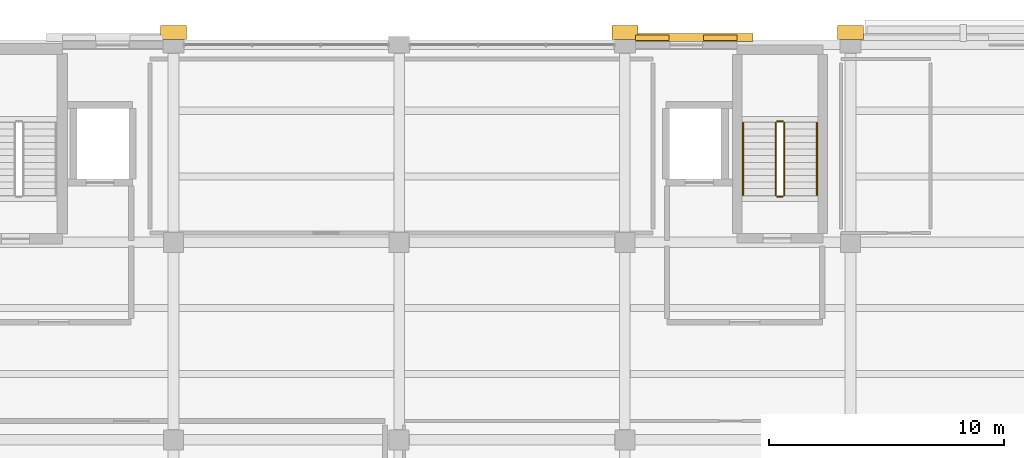
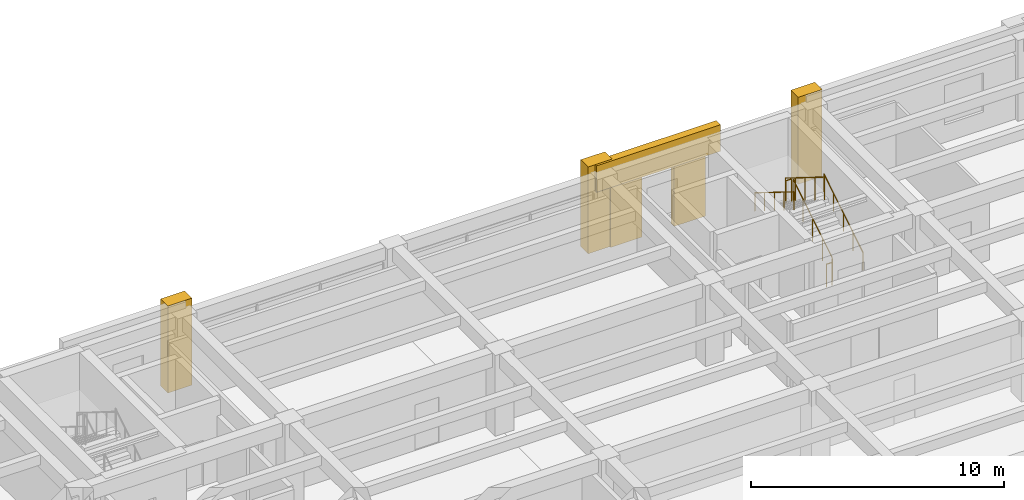
# One storey, part 70 of 71: 6 coverings, 6 railings.
"""IFC4 building model written with IfcOpenShell, lengths in metres."""

from ifc_helpers import new_model, si_unit, direction, frame, origin, origin_2d, place, context, subcontext, project, spatial, rectangle, circle, extrude, material, layer, layer_set, type_object, element, save


model = new_model("IFC4")

# Units and contexts
model_context = context("Model", 3, precision=1e-05, world=origin(), true_north=direction((0.0, 1.0)))
body_context = subcontext(model_context, "Body", "Model", "MODEL_VIEW")
ifc_project = project(units=[si_unit("LENGTHUNIT", "METRE"), si_unit("AREAUNIT", "SQUARE_METRE"), si_unit("VOLUMEUNIT", "CUBIC_METRE"), si_unit("PLANEANGLEUNIT", "RADIAN"), si_unit("MASSUNIT", "GRAM", prefix="KILO")], contexts=[model_context])

# Site, building, storey
site_placement = place(None, origin())
site = spatial("IfcSite", under=ifc_project, at=site_placement, CompositionType="ELEMENT")
building_placement = place(site_placement, origin())
building = spatial("IfcBuilding", under=site, at=building_placement, Name="Bempovik Park Faculty of Sciences", CompositionType="ELEMENT")
storey_placement = place(building_placement, frame((0.0, 0.0, 14.10009765625)))
storey = spatial("IfcBuildingStorey", under=building, at=storey_placement, Name="L03", CompositionType="ELEMENT", Elevation=14.10009765625)

# Coverings
ifc_material_1 = material(Name="White reconstituted limestone precast C40/50", Category="masonry")
ifc_layer = layer(ifc_material_1, 0.239990234375)
ifc_layer_set = layer_set([ifc_layer], Name="White reconstituted limestone precast C40/50")
covering_type = type_object("IfcCoveringType", Name="CL-03 Classical Fluted Limestone Pilaster 240mm", PredefinedType="CLADDING", material=ifc_layer_set)
covering_1_placement = place(storey_placement, frame((79.199951171875, 119.929931640625, 0.0), z_axis=(0.0, 0.0, 1.0), x_axis=(1.0, 0.0, 0.0)))
element("IfcCovering", 1, at=covering_1_placement, inside=storey, type_object=covering_type, Name="L03 Classical Fluted Stone Pilaster PIL-BA-L03-792-1199", PredefinedType="CLADDING", context=body_context, shape_type="SweptSolid", body=[
    extrude(rectangle(XDim=1.10009765625, YDim=0.580078125, at=origin_2d()), origin(), (0.0, 0.0, 1.0), 4.199951171875),
])
covering_2_placement = place(storey_placement, frame((101.012939453125, 119.7099609375, 2.919921875), z_axis=(0.0, 0.0, 1.0), x_axis=(1.0, 0.0, 0.0)))
element("IfcCovering", 2, at=covering_2_placement, inside=storey, type_object=covering_type, Name="L03 Classical Limestone Spandrel Entablature EW-L03-8558", PredefinedType="CLADDING", context=body_context, shape_type="SweptSolid", body=[
    extrude(rectangle(XDim=5.672119140625, YDim=0.340087890625, at=origin_2d()), origin(), (0.0, 0.0, 1.0), 1.280029296875),
])
for number, where, z_axis, x_axis, name in (
    (3, (98.39990234375, 119.929931640625, 0.0), (0.0, 0.0, 1.0), (1.0, 0.0, 0.0), "L03 Classical Fluted Stone Pilaster PIL-BA-L03-984-1199"),
    (4, (108.0, 119.929931640625, 0.0), (0.0, 0.0, 1.0), (1.0, 0.0, 0.0), "L03 Classical Fluted Stone Pilaster PIL-BA-L03-1080-1199"),
):
    element("IfcCovering", number, at=place(storey_placement, frame(where, z_axis=z_axis, x_axis=x_axis)), inside=storey, type_object=covering_type, Name=name, PredefinedType="CLADDING", context=body_context, shape_type="SweptSolid", body=[
        extrude(rectangle(XDim=1.10009765625, YDim=0.580078125, at=origin_2d()), origin(), (0.0, 0.0, 1.0), 4.199951171875),
    ])
for number, where, z_axis, x_axis, name in (
    (5, (99.5625, 119.699951171875, -0.000244140625), (0.0, 0.0, 1.0), (1.0, 0.0, 0.0), "L03 Stairwell White Limestone Cheek EW-L03-8558-1"),
    (6, (102.46337890625, 119.699951171875, -0.000244140625), (0.0, 0.0, 1.0), (1.0, 0.0, 0.0), "L03 Stairwell White Limestone Cheek EW-L03-8558-2"),
):
    element("IfcCovering", number, at=place(storey_placement, frame(where, z_axis=z_axis, x_axis=x_axis)), inside=storey, type_object=covering_type, Name=name, PredefinedType="CLADDING", context=body_context, shape_type="SweptSolid", body=[
        extrude(rectangle(XDim=1.4208984375, YDim=0.239990234375, at=origin_2d()), origin(), (0.0, 0.0, 1.0), 3.080078125),
    ])

# Railings
ifc_material_2 = material(Name="Anodised architectural bronze")
railing_type_1 = type_object("IfcRailingType", Name="GR-01 Guardrail 1120mm", PredefinedType="GUARDRAIL", material=ifc_material_2)
railing_1_placement = place(storey_placement, frame((105.175048828125, 113.0, 0.1748046875)))
element("IfcRailing", 7, at=railing_1_placement, inside=storey, type_object=railing_type_1, Name="L03 ST-2 Stair Guard 1", PredefinedType="GUARDRAIL", context=body_context, shape_type="SweptSolid", body=[
    extrude(circle(Radius=0.02392578125, at=origin_2d()), frame((0.0, 0.0, 1.09619140625), z_axis=(0.0, 0.84905059285, 0.528311547082), x_axis=(-1.0, 0.0, 0.0)), (0.0, 0.0, 1.0), 3.643798828125),
    extrude(circle(Radius=0.02099609375, at=origin_2d()), origin(), (0.0, 0.0, 1.0), 1.072021484375),
    extrude(circle(Radius=0.02099609375, at=origin_2d()), frame((0.0, 0.7734375, 0.481201171875)), (0.0, 0.0, 1.0), 1.072021484375),
    extrude(circle(Radius=0.02099609375, at=origin_2d()), frame((0.0, 1.546875, 0.96240234375)), (0.0, 0.0, 1.0), 1.072021484375),
    extrude(circle(Radius=0.02099609375, at=origin_2d()), frame((0.0, 2.3203125, 1.44384765625)), (0.0, 0.0, 1.0), 1.072021484375),
    extrude(circle(Radius=0.02099609375, at=origin_2d()), frame((0.0, 3.09375, 1.925048828125)), (0.0, 0.0, 1.0), 1.072021484375),
])
railing_2_placement = place(storey_placement, frame((105.125, 116.143798828125, 2.099853515625)))
element("IfcRailing", 8, at=railing_2_placement, inside=storey, type_object=railing_type_1, Name="L03 ST-2 Stair Guard 2", PredefinedType="GUARDRAIL", context=body_context, shape_type="SweptSolid", body=[
    extrude(circle(Radius=0.02392578125, at=origin_2d()), frame((0.0, 0.0, 1.09619140625), z_axis=(-1.0, 0.0, 0.0), x_axis=(0.0, -1.0, 0.0)), (0.0, 0.0, 1.0), 0.25),
    extrude(circle(Radius=0.02099609375, at=origin_2d()), origin(), (0.0, 0.0, 1.0), 1.072021484375),
    extrude(circle(Radius=0.02099609375, at=origin_2d()), frame((-0.25, 0.0, 0.0)), (0.0, 0.0, 1.0), 1.072021484375),
])
railing_3_placement = place(storey_placement, frame((104.824951171875, 116.09375, 2.27490234375)))
element("IfcRailing", 9, at=railing_3_placement, inside=storey, type_object=railing_type_1, Name="L03 ST-2 Stair Guard 3", PredefinedType="GUARDRAIL", context=body_context, shape_type="SweptSolid", body=[
    extrude(circle(Radius=0.02392578125, at=origin_2d()), frame((0.0, 0.0, 1.09619140625), z_axis=(0.0, -0.84905059285, 0.528311547082), x_axis=(1.0, 0.0, 0.0)), (0.0, 0.0, 1.0), 3.643798828125),
    extrude(circle(Radius=0.02099609375, at=origin_2d()), origin(), (0.0, 0.0, 1.0), 1.072021484375),
    extrude(circle(Radius=0.02099609375, at=origin_2d()), frame((0.0, -0.7734375, 0.481201171875)), (0.0, 0.0, 1.0), 1.072021484375),
    extrude(circle(Radius=0.02099609375, at=origin_2d()), frame((0.0, -1.546875, 0.96240234375)), (0.0, 0.0, 1.0), 1.072021484375),
    extrude(circle(Radius=0.02099609375, at=origin_2d()), frame((0.0, -2.3203125, 1.44384765625)), (0.0, 0.0, 1.0), 1.072021484375),
    extrude(circle(Radius=0.02099609375, at=origin_2d()), frame((0.0, -3.09375, 1.925048828125)), (0.0, 0.0, 1.0), 1.072021484375),
])
railing_4_placement = place(storey_placement, frame((105.125, 112.949951171875, 0.0)))
element("IfcRailing", 10, at=railing_4_placement, inside=storey, type_object=railing_type_1, Name="L03 ST-2 Stair Guard 4", PredefinedType="GUARDRAIL", context=body_context, shape_type="SweptSolid", body=[
    extrude(circle(Radius=0.02392578125, at=origin_2d()), frame((0.0, 0.0, 1.09619140625), z_axis=(-1.0, 0.0, 0.0), x_axis=(0.0, -1.0, 0.0)), (0.0, 0.0, 1.0), 0.25),
    extrude(circle(Radius=0.02099609375, at=origin_2d()), origin(), (0.0, 0.0, 1.0), 1.072021484375),
    extrude(circle(Radius=0.02099609375, at=origin_2d()), frame((-0.25, 0.0, 0.0)), (0.0, 0.0, 1.0), 1.072021484375),
])
railing_type_2 = type_object("IfcRailingType", Name="HR-01 Wall Handrail 900mm", PredefinedType="HANDRAIL", material=ifc_material_2)
railing_5_placement = place(storey_placement, frame((106.574951171875, 113.0, 0.1748046875)))
element("IfcRailing", 11, at=railing_5_placement, inside=storey, type_object=railing_type_2, Name="L03 ST-2 Stair Handrail 1", PredefinedType="HANDRAIL", context=body_context, shape_type="SweptSolid", body=[
    extrude(circle(Radius=0.02392578125, at=origin_2d()), frame((0.0, 0.0, 0.8759765625), z_axis=(0.0, 0.84905059285, 0.528311547082), x_axis=(-1.0, 0.0, 0.0)), (0.0, 0.0, 1.0), 3.643798828125),
    extrude(circle(Radius=0.02099609375, at=origin_2d()), origin(), (0.0, 0.0, 1.0), 0.851806640625),
    extrude(circle(Radius=0.02099609375, at=origin_2d()), frame((0.0, 0.7734375, 0.481201171875)), (0.0, 0.0, 1.0), 0.851806640625),
    extrude(circle(Radius=0.02099609375, at=origin_2d()), frame((0.0, 1.546875, 0.96240234375)), (0.0, 0.0, 1.0), 0.851806640625),
    extrude(circle(Radius=0.02099609375, at=origin_2d()), frame((0.0, 2.3203125, 1.44384765625)), (0.0, 0.0, 1.0), 0.851806640625),
    extrude(circle(Radius=0.02099609375, at=origin_2d()), frame((0.0, 3.09375, 1.925048828125)), (0.0, 0.0, 1.0), 0.851806640625),
])
railing_6_placement = place(storey_placement, frame((103.425048828125, 116.09375, 2.27490234375)))
element("IfcRailing", 12, at=railing_6_placement, inside=storey, type_object=railing_type_2, Name="L03 ST-2 Stair Handrail 2", PredefinedType="HANDRAIL", context=body_context, shape_type="SweptSolid", body=[
    extrude(circle(Radius=0.02392578125, at=origin_2d()), frame((0.0, 0.0, 0.8759765625), z_axis=(0.0, -0.84905059285, 0.528311547082), x_axis=(1.0, 0.0, 0.0)), (0.0, 0.0, 1.0), 3.643798828125),
    extrude(circle(Radius=0.02099609375, at=origin_2d()), origin(), (0.0, 0.0, 1.0), 0.851806640625),
    extrude(circle(Radius=0.02099609375, at=origin_2d()), frame((0.0, -0.7734375, 0.481201171875)), (0.0, 0.0, 1.0), 0.851806640625),
    extrude(circle(Radius=0.02099609375, at=origin_2d()), frame((0.0, -1.546875, 0.96240234375)), (0.0, 0.0, 1.0), 0.851806640625),
    extrude(circle(Radius=0.02099609375, at=origin_2d()), frame((0.0, -2.3203125, 1.44384765625)), (0.0, 0.0, 1.0), 0.851806640625),
    extrude(circle(Radius=0.02099609375, at=origin_2d()), frame((0.0, -3.09375, 1.925048828125)), (0.0, 0.0, 1.0), 0.851806640625),
])

save(model, "model.ifc")
